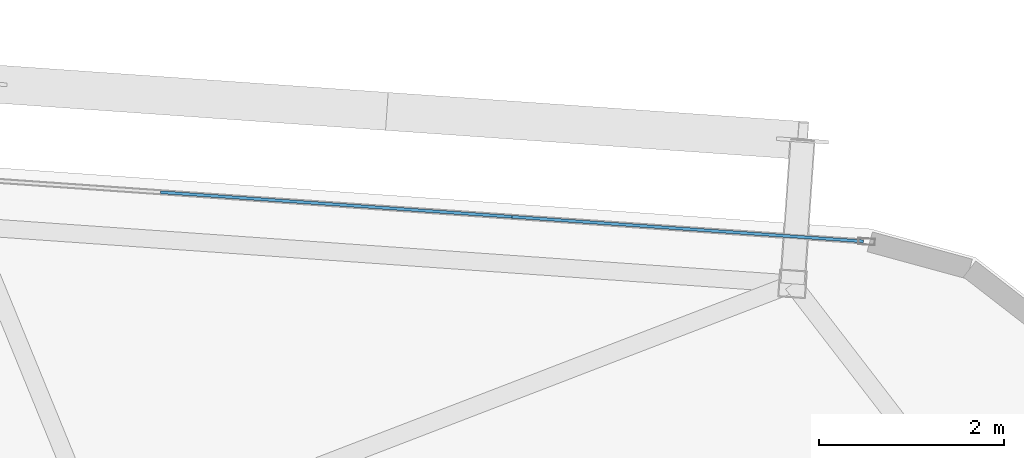
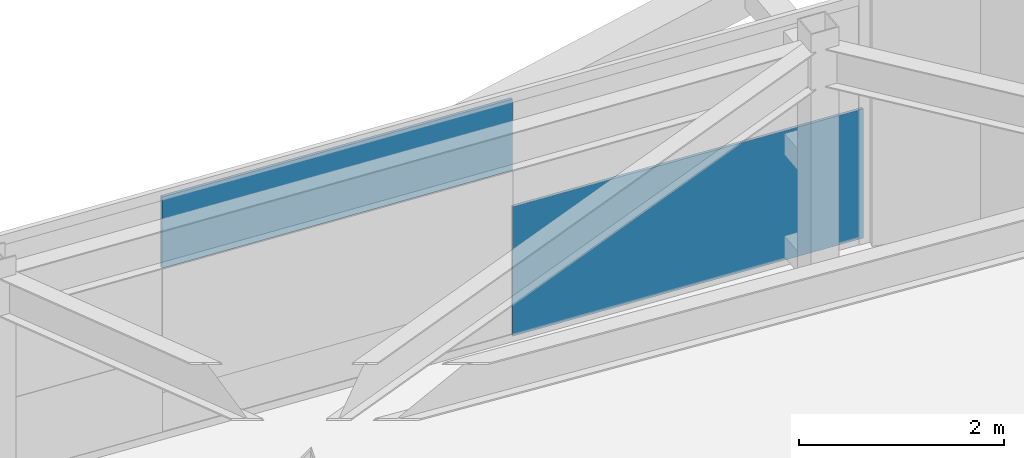
# One storey, part 26 of 39: 2 plates, 1 element without a shape of its own.
"""IFC4 building model written with IfcOpenShell, lengths in metres."""

from ifc_helpers import new_model, si_unit, direction, frame, origin, origin_2d, place, context, subcontext, project, spatial, rectangle, extrude, source, transform, mapped, material, layer, layer_set, type_object, element, aggregate, save


model = new_model("IFC4")

# Units and contexts
model_context = context("Model", 3, precision=1e-05, world=origin(), true_north=direction((0.0, 1.0)))
body_context = subcontext(model_context, "Body", "Model", "MODEL_VIEW")
ifc_project = project(units=[si_unit("LENGTHUNIT", "METRE"), si_unit("AREAUNIT", "SQUARE_METRE"), si_unit("VOLUMEUNIT", "CUBIC_METRE"), si_unit("PLANEANGLEUNIT", "RADIAN"), si_unit("MASSUNIT", "GRAM", prefix="KILO")], contexts=[model_context])

# Site, building, storey
site_placement = place(None, origin())
site = spatial("IfcSite", under=ifc_project, at=site_placement, CompositionType="ELEMENT")
building_placement = place(site_placement, origin())
building = spatial("IfcBuilding", under=site, at=building_placement, Name="Taldren Reach Tower", CompositionType="ELEMENT")
storey_placement = place(building_placement, frame((0.0, 0.0, 133.0)))
storey = spatial("IfcBuildingStorey", under=building, at=storey_placement, Name="L40", CompositionType="ELEMENT", Elevation=133.0)

# Curtain wall, plates
ifc_material_1 = material(Name="Aluminium and Low-E Glass Unitised System", Category="aluminium")
ifc_layer_1 = layer(ifc_material_1, 0.159912109375)
ifc_layer_set_1 = layer_set([ifc_layer_1], Name="Aluminium and Low-E Glass Unitised System")
curtain_wall_type = type_object("IfcCurtainWallType", Name="CW-SYS-4", PredefinedType="NOTDEFINED", material=ifc_layer_set_1)
curtain_wall_placement = place(storey_placement, origin())
curtain_wall = element("IfcCurtainWall", 1, at=curtain_wall_placement, inside=storey, type_object=curtain_wall_type, Name="Unitised curtain wall CW-L40-N", PredefinedType="NOTDEFINED")
ifc_material_2 = material(Name="Solar-Control Double Glazed IGU", Category="glass")
ifc_layer_2 = layer(ifc_material_2, 0.031982421875)
ifc_layer_set_2 = layer_set([ifc_layer_2], Name="Solar-Control Double Glazed IGU")
plate_type = type_object("IfcPlateType", Name="CW-PNL-IGU32", PredefinedType="CURTAIN_PANEL", material=ifc_layer_set_2)
shared_shape_1 = source(origin(), body_context, "Body", "SweptSolid", [
    extrude(rectangle(XDim=3.79833984375, YDim=0.031982421875, at=origin_2d()), origin(), (0.0, 0.0, 1.0), 0.84716796875),
])
plate_1_placement = place(storey_placement, frame((53.5166015625, 35.716796875, 2.02783203125), z_axis=(0.0, 0.0, 1.0), x_axis=(-0.99756404731, 0.06975651593, 0.0)))
plate_1 = element("IfcPlate", 2, at=plate_1_placement, type_object=plate_type, Name="CW-4 panel 1.1 part 3", PredefinedType="CURTAIN_PANEL", context=body_context, shape_type="MappedRepresentation", body=[
    mapped(shared_shape_1, transform((0.0, 0.0, 0.0), scale=1.0)),
])
shared_shape_2 = source(origin(), body_context, "Body", "SweptSolid", [
    extrude(rectangle(XDim=3.79833984375, YDim=0.031982421875, at=origin_2d()), origin(), (0.0, 0.0, 1.0), 1.537841796875),
])
plate_2_placement = place(storey_placement, frame((57.3056640625, 35.451904296875, 0.05517578125), z_axis=(0.0, 0.0, 1.0), x_axis=(-0.99756404731, 0.06975651593, 0.0)))
plate_2 = element("IfcPlate", 3, at=plate_2_placement, type_object=plate_type, Name="CW-4 panel 1.1 part 1", PredefinedType="CURTAIN_PANEL", context=body_context, shape_type="MappedRepresentation", body=[
    mapped(shared_shape_2, transform((0.0, 0.0, 0.0), scale=1.0)),
])
aggregate(curtain_wall, [plate_2, plate_1])

save(model, "model.ifc")
